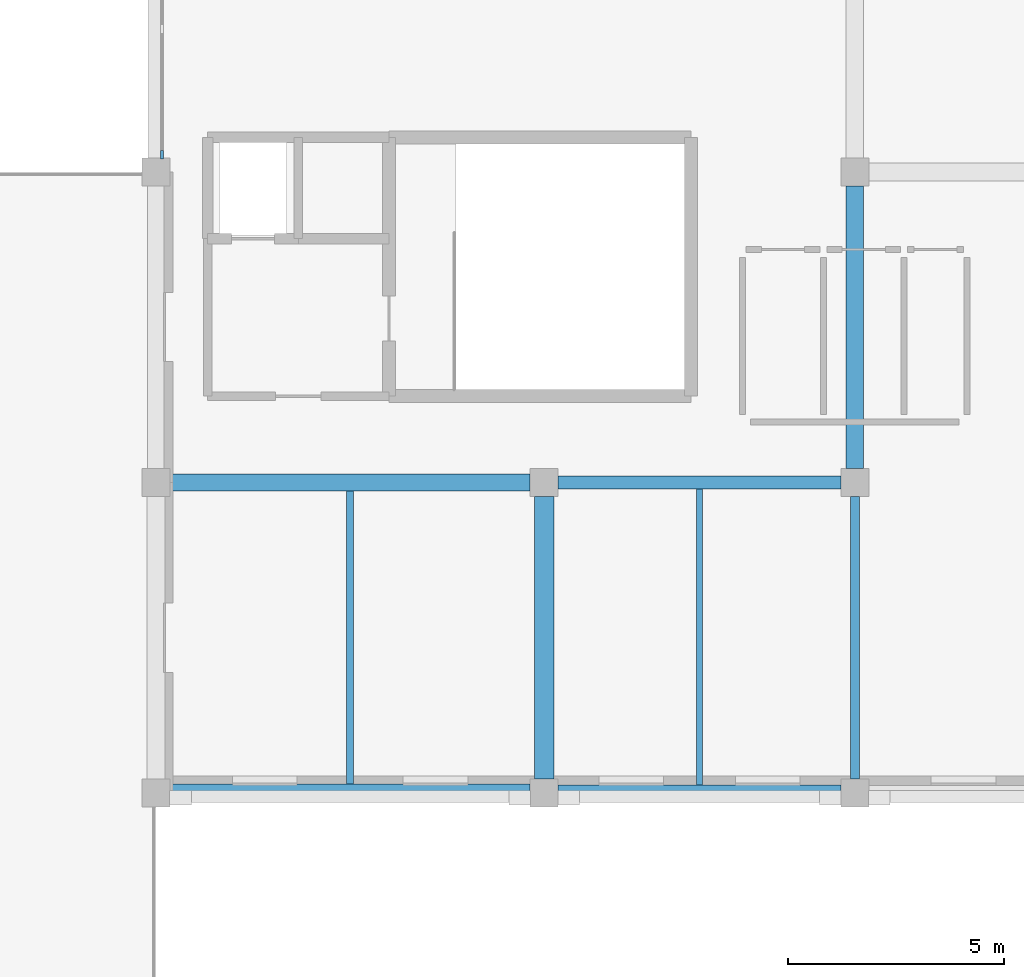
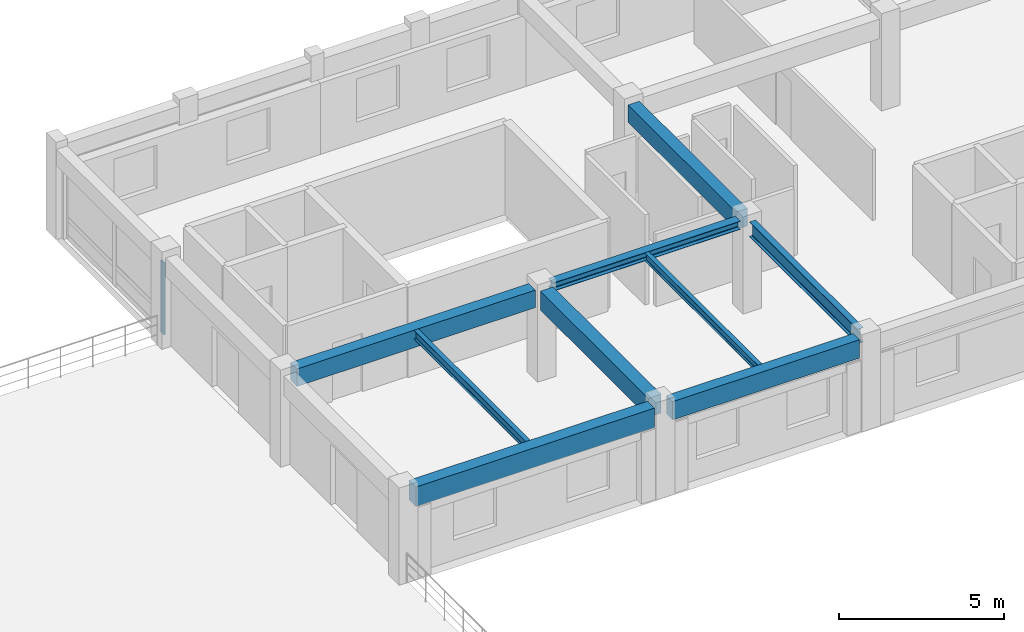
# One storey, part 2 of 18: 9 beams, 1 member, 1 element without a shape of its own.
"""IFC4 building model written with IfcOpenShell, lengths in metres."""

from ifc_helpers import new_model, si_unit, direction, frame, origin, origin_2d, place, context, subcontext, project, spatial, rectangle, i_section, extrude, material, material_profile, profile_set, type_object, element, aggregate, save


model = new_model("IFC4")

# Units and contexts
model_context = context("Model", 3, precision=1e-05, world=origin(), true_north=direction((0.0, 1.0)))
body_context = subcontext(model_context, "Body", "Model", "MODEL_VIEW")
ifc_project = project(units=[si_unit("LENGTHUNIT", "METRE"), si_unit("AREAUNIT", "SQUARE_METRE"), si_unit("VOLUMEUNIT", "CUBIC_METRE"), si_unit("PLANEANGLEUNIT", "RADIAN"), si_unit("MASSUNIT", "GRAM", prefix="KILO")], contexts=[model_context])

# Site, building, storey
site_placement = place(None, origin())
site = spatial("IfcSite", under=ifc_project, at=site_placement, CompositionType="ELEMENT")
building_placement = place(site_placement, origin())
building = spatial("IfcBuilding", under=site, at=building_placement, Name="Clarverna Civic Hall", CompositionType="ELEMENT")
storey_placement = place(building_placement, frame((0.0, 0.0, 20.39990234375)))
storey = spatial("IfcBuildingStorey", under=building, at=storey_placement, Name="L05", CompositionType="ELEMENT", Elevation=20.39990234375)

# Beams
ifc_material_1 = material(Name="Concrete C35/45", Category="concrete")
ifc_material_profile_1 = material_profile(ifc_material_1, rectangle(XDim=0.449951171875, YDim=0.699951171875, at=origin_2d()), Name="RC 450x700")
ifc_profile_set_1 = profile_set([ifc_material_profile_1], Name="Concrete C35/45")
beam_type_1 = type_object("IfcBeamType", Name="B-RC4", PredefinedType="BEAM", material=ifc_profile_set_1)
beam_1_placement = place(storey_placement, frame((122.39990234375, 95.324951171875, 2.989990234375), z_axis=(0.0, 1.0, 0.0), x_axis=(-1.0, 0.0, 0.0)))
element("IfcBeam", 1, at=beam_1_placement, inside=storey, type_object=beam_type_1, Name="B-RC4-030", PredefinedType="BEAM", context=body_context, shape_type="SweptSolid", body=[
    extrude(rectangle(XDim=0.449951171875, YDim=0.699951171875, at=origin_2d()), origin(), (0.0, 0.0, 1.0), 6.550048828125),
])
ifc_material_profile_2 = material_profile(ifc_material_1, rectangle(XDim=0.39990234375, YDim=0.64990234375, at=origin_2d()), Name="RC 400x650")
ifc_profile_set_2 = profile_set([ifc_material_profile_2], Name="Concrete C35/45")
beam_type_2 = type_object("IfcBeamType", Name="B-RC6", PredefinedType="BEAM", material=ifc_profile_set_2)
beam_2_placement = place(storey_placement, frame((113.72509765625, 102.199951171875, 3.01513671875), z_axis=(1.0, 0.0, 0.0), x_axis=(0.0, 1.0, 0.0)))
element("IfcBeam", 2, at=beam_2_placement, inside=storey, type_object=beam_type_2, Name="B-RC6-051", PredefinedType="BEAM", context=body_context, shape_type="SweptSolid", body=[
    extrude(rectangle(XDim=0.39990234375, YDim=0.64990234375, at=origin_2d()), origin(), (0.0, 0.0, 1.0), 8.349853515625),
])
beam_3_placement = place(storey_placement, frame((129.60009765625, 102.52490234375, 3.01513671875), z_axis=(0.0, 1.0, 0.0), x_axis=(-1.0, 0.0, 0.0)))
element("IfcBeam", 3, at=beam_3_placement, inside=storey, type_object=beam_type_2, Name="B-RC6-052", PredefinedType="BEAM", context=body_context, shape_type="SweptSolid", body=[
    extrude(rectangle(XDim=0.39990234375, YDim=0.64990234375, at=origin_2d()), origin(), (0.0, 0.0, 1.0), 6.550048828125),
])
ifc_material_profile_3 = material_profile(ifc_material_1, rectangle(XDim=0.419921875, YDim=0.719970703125, at=origin_2d()), Name="RC 420x720")
ifc_profile_set_3 = profile_set([ifc_material_profile_3], Name="Concrete C35/45")
beam_type_3 = type_object("IfcBeamType", Name="B-SP1", PredefinedType="SPANDREL", material=ifc_profile_set_3)
beam_4_placement = place(storey_placement, frame((113.72509765625, 95.0, 2.97998046875), z_axis=(1.0, 0.0, 0.0), x_axis=(0.0, 1.0, 0.0)))
element("IfcBeam", 4, at=beam_4_placement, inside=storey, type_object=beam_type_3, Name="B-SP1-144", PredefinedType="SPANDREL", context=body_context, shape_type="SweptSolid", body=[
    extrude(rectangle(XDim=0.419921875, YDim=0.719970703125, at=origin_2d()), origin(), (0.0, 0.0, 1.0), 8.349853515625),
])
ifc_material_profile_4 = material_profile(ifc_material_1, rectangle(XDim=0.3798828125, YDim=0.679931640625, at=origin_2d()), Name="RC 380x680")
ifc_profile_set_4 = profile_set([ifc_material_profile_4], Name="Concrete C35/45")
beam_type_4 = type_object("IfcBeamType", Name="B-SP2", PredefinedType="SPANDREL", material=ifc_profile_set_4)
beam_5_placement = place(storey_placement, frame((122.72509765625, 95.0, 3.0), z_axis=(1.0, 0.0, 0.0), x_axis=(0.0, 1.0, 0.0)))
element("IfcBeam", 5, at=beam_5_placement, inside=storey, type_object=beam_type_4, Name="B-SP2-151", PredefinedType="SPANDREL", context=body_context, shape_type="SweptSolid", body=[
    extrude(rectangle(XDim=0.3798828125, YDim=0.679931640625, at=origin_2d()), origin(), (0.0, 0.0, 1.0), 6.5498046875),
])
ifc_material_2 = material(Name="Steel S355", Category="steel")
ifc_material_profile_5 = material_profile(ifc_material_2, i_section(OverallWidth=0.2099609375, OverallDepth=0.550048828125, WebThickness=0.010986328125, FlangeThickness=0.01708984375, FilletRadius=0.02392578125, at=origin_2d()), Name="IPE 550")
ifc_profile_set_5 = profile_set([ifc_material_profile_5], Name="Steel S355")
beam_type_5 = type_object("IfcBeamType", Name="B-ST11", PredefinedType="BEAM", material=ifc_profile_set_5)
beam_6_placement = place(storey_placement, frame((129.60009765625, 95.324951171875, 3.065185546875), z_axis=(0.0, 1.0, 0.0), x_axis=(-1.0, 0.0, 0.0)))
element("IfcBeam", 6, at=beam_6_placement, inside=storey, type_object=beam_type_5, Name="B-ST11-024", PredefinedType="BEAM", context=body_context, shape_type="SweptSolid", body=[
    extrude(i_section(OverallWidth=0.2099609375, OverallDepth=0.550048828125, WebThickness=0.010986328125, FlangeThickness=0.01708984375, FilletRadius=0.02392578125, at=origin_2d()), origin(), (0.0, 0.0, 1.0), 6.550048828125),
])
ifc_material_profile_6 = material_profile(ifc_material_2, i_section(OverallWidth=0.300048828125, OverallDepth=0.31005859375, WebThickness=0.009033203125, FlangeThickness=0.015380859375, FilletRadius=0.027099609375, at=origin_2d()), Name="HEA 320")
ifc_profile_set_6 = profile_set([ifc_material_profile_6], Name="Steel S355")
beam_type_6 = type_object("IfcBeamType", Name="B-ST9", PredefinedType="BEAM", material=ifc_profile_set_6)
beam_7_placement = place(storey_placement, frame((122.72509765625, 102.199951171875, 3.18505859375), z_axis=(1.0, 0.0, 0.0), x_axis=(0.0, 1.0, 0.0)))
element("IfcBeam", 7, at=beam_7_placement, inside=storey, type_object=beam_type_6, Name="B-ST9-091", PredefinedType="BEAM", context=body_context, shape_type="SweptSolid", body=[
    extrude(i_section(OverallWidth=0.300048828125, OverallDepth=0.31005859375, WebThickness=0.009033203125, FlangeThickness=0.015380859375, FilletRadius=0.027099609375, at=origin_2d()), origin(), (0.0, 0.0, 1.0), 6.5498046875),
])

# Curtain wall, member
ifc_material_3 = material(Name="Anodised Bronze Architectural Aluminium", Category="aluminium")
curtain_wall_type = type_object("IfcCurtainWallType", Name="CW-01", PredefinedType="USERDEFINED", material=ifc_material_3)
curtain_wall_placement = place(storey_placement, origin())
curtain_wall = element("IfcCurtainWall", 8, at=curtain_wall_placement, inside=storey, type_object=curtain_wall_type, Name="CW-01-113", ObjectType="UNITISED CURTAIN WALL", PredefinedType="USERDEFINED")
ifc_material_profile_7 = material_profile(ifc_material_3, rectangle(XDim=0.06494140625, YDim=0.199951171875, at=origin_2d()), Name="BRONZE 65x200")
ifc_profile_set_7 = profile_set([ifc_material_profile_7], Name="Anodised Bronze Architectural Aluminium")
member_type = type_object("IfcMemberType", Name="CWM-03", PredefinedType="MULLION", material=ifc_profile_set_7)
member_placement = place(storey_placement, frame((113.5400390625, 109.798095703125, 0.0), z_axis=(0.0, 0.0, 1.0), x_axis=(1.0, 0.0, 0.0)))
member = element("IfcMember", 9, at=member_placement, type_object=member_type, Name="CWM-03-214", PredefinedType="MULLION", context=body_context, shape_type="SweptSolid", body=[
    extrude(rectangle(XDim=0.06494140625, YDim=0.199951171875, at=origin_2d()), origin(), (0.0, 0.0, 1.0), 2.66015625),
])
aggregate(curtain_wall, [member])

# Beams
ifc_material_profile_8 = material_profile(ifc_material_2, i_section(OverallWidth=0.159912109375, OverallDepth=0.330078125, WebThickness=0.007568359375, FlangeThickness=0.011474609375, FilletRadius=0.01806640625, at=origin_2d()), Name="IPE 330")
ifc_profile_set_8 = profile_set([ifc_material_profile_8], Name="Steel S355")
beam_type_7 = type_object("IfcBeamType", Name="J-ST2", PredefinedType="JOIST", material=ifc_profile_set_8)
beam_8_placement = place(storey_placement, frame((117.89990234375, 95.2099609375, 3.175048828125), z_axis=(0.0, 1.0, 0.0), x_axis=(-1.0, 0.0, 0.0)))
element("IfcBeam", 10, at=beam_8_placement, inside=storey, type_object=beam_type_7, Name="J-ST2-072", PredefinedType="JOIST", context=body_context, shape_type="SweptSolid", body=[
    extrude(i_section(OverallWidth=0.159912109375, OverallDepth=0.330078125, WebThickness=0.007568359375, FlangeThickness=0.011474609375, FilletRadius=0.01806640625, at=origin_2d()), origin(), (0.0, 0.0, 1.0), 6.7900390625),
])
ifc_material_profile_9 = material_profile(ifc_material_2, i_section(OverallWidth=0.14990234375, OverallDepth=0.300048828125, WebThickness=0.007080078125, FlangeThickness=0.0107421875, FilletRadius=0.014892578125, at=origin_2d()), Name="IPE 300")
ifc_profile_set_9 = profile_set([ifc_material_profile_9], Name="Steel S355")
beam_type_8 = type_object("IfcBeamType", Name="J-ST3", PredefinedType="JOIST", material=ifc_profile_set_9)
beam_9_placement = place(storey_placement, frame((126.0, 95.18994140625, 3.190185546875), z_axis=(0.0, 1.0, 0.0), x_axis=(-1.0, 0.0, 0.0)))
element("IfcBeam", 11, at=beam_9_placement, inside=storey, type_object=beam_type_8, Name="J-ST3-072", PredefinedType="JOIST", context=body_context, shape_type="SweptSolid", body=[
    extrude(i_section(OverallWidth=0.14990234375, OverallDepth=0.300048828125, WebThickness=0.007080078125, FlangeThickness=0.0107421875, FilletRadius=0.014892578125, at=origin_2d()), origin(), (0.0, 0.0, 1.0), 6.860107421875),
])

save(model, "model.ifc")
